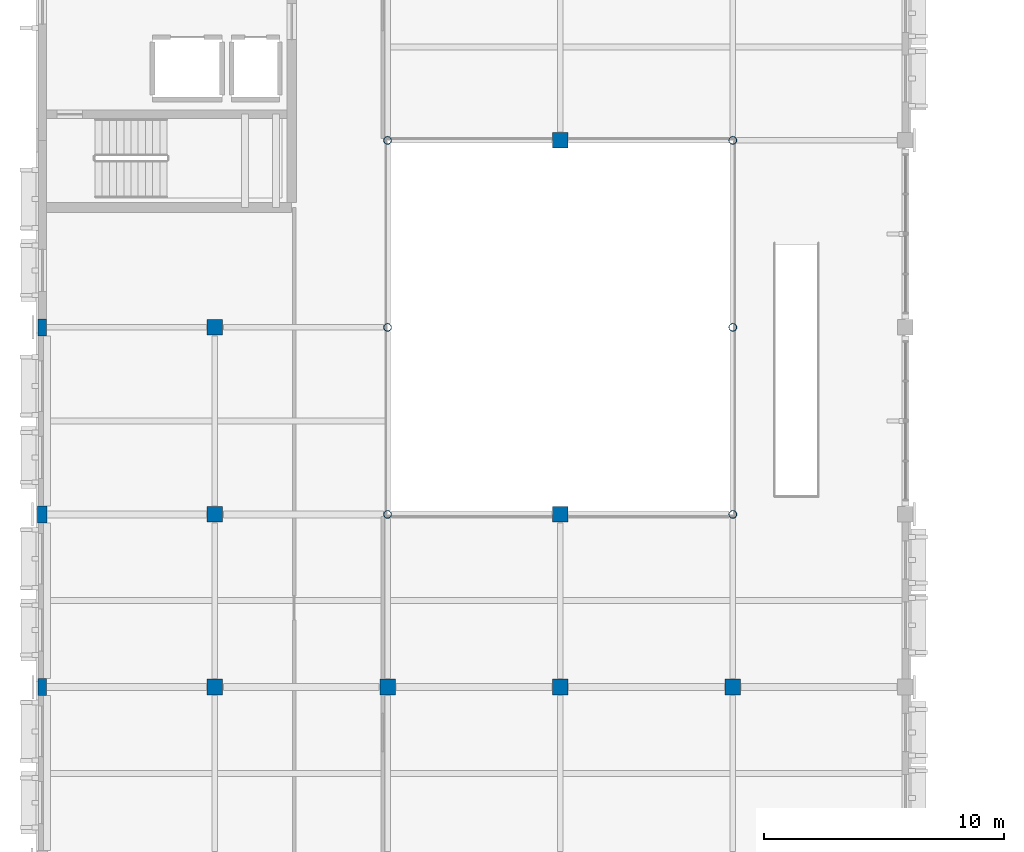
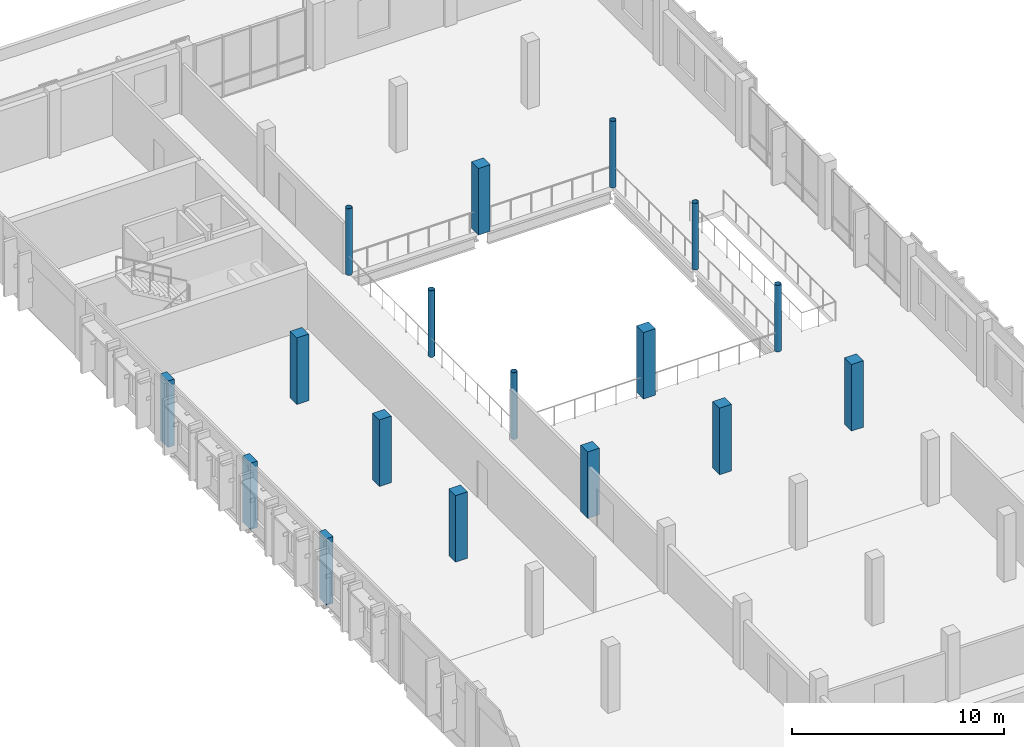
# One storey, part 3 of 85: 17 columns.
"""IFC4 building model written with IfcOpenShell, lengths in metres."""

import ifcopenshell
import ifcopenshell.guid

model = None  # the IFC model being written
_history = None  # IfcOwnerHistory: only IFC2X3 demands one
_inside = {}  # id of a spatial element -> (the spatial element, [elements in it])
_under = {}  # id of a project, library or spatial element -> (it, [spatial elements below it])
_declared = {}  # id of a project -> (the project, [libraries it declares])
_typed = {}  # id of a type object -> (the type object, [elements of that type])
_made_of = {}  # id of a material, layer set ... -> (it, [elements and type objects made of it])


def new_model(schema):
    """Start an empty IFC model of exactly this schema.

    Asked for "IFC4X3", IfcOpenShell would pick the latest addendum, in which some entities
    have other attributes; the version numbers below select the first issue.
    IFC2X3 requires an IfcOwnerHistory on every rooted entity: one is made here for all.
    """
    global model, _history
    if schema == "IFC4X3":
        model = ifcopenshell.file(schema_version=(4, 3, 0, 0))
    else:
        model = ifcopenshell.file(schema=schema)
    _inside.clear()
    _under.clear()
    _declared.clear()
    _typed.clear()
    _made_of.clear()
    _history = None
    if model.schema == "IFC2X3":
        org = make("IfcOrganization", Name="unknown")
        user = make(
            "IfcPersonAndOrganization",
            ThePerson=make("IfcPerson", FamilyName="unknown"),
            TheOrganization=org,
        )
        app = make(
            "IfcApplication",
            ApplicationDeveloper=org,
            Version="unknown",
            ApplicationFullName="unknown",
            ApplicationIdentifier="unknown",
        )
        _history = make(
            "IfcOwnerHistory",
            OwningUser=user,
            OwningApplication=app,
            ChangeAction="ADDED",
            CreationDate=0,
        )
    return model


def make(cls, **values):
    """One entity of the class cls with the attributes given. An attribute that is None is left unset."""
    return model.create_entity(
        cls, **{name: value for name, value in values.items() if value is not None}
    )


def rooted(cls, **values):
    """An entity with a GlobalId (a new one), such as an element, a storey or a relation."""
    return make(cls, GlobalId=ifcopenshell.guid.new(), OwnerHistory=_history, **values)


def si_unit(unit_type, name, prefix=None):
    """IfcSIUnit, for example si_unit("LENGTHUNIT", "METRE", prefix="MILLI")."""
    return make("IfcSIUnit", UnitType=unit_type, Prefix=prefix, Name=name)


def assignment(units):
    """IfcUnitAssignment: the units of a project."""
    return None if units is None else make("IfcUnitAssignment", Units=units)


def point(xyz):
    """IfcCartesianPoint."""
    return None if xyz is None else make("IfcCartesianPoint", Coordinates=xyz)


def direction(xyz):
    """IfcDirection."""
    return None if xyz is None else make("IfcDirection", DirectionRatios=xyz)


def frame(location, z_axis=None, x_axis=None):
    """IfcAxis2Placement3D, a coordinate frame: its origin and axes. An axis left out is left unset."""
    return make(
        "IfcAxis2Placement3D",
        Location=point(location),
        Axis=direction(z_axis),
        RefDirection=direction(x_axis),
    )


def frame_2d(location, x_axis=None):
    """IfcAxis2Placement2D, a coordinate frame in the plane: its origin and x axis."""
    return make(
        "IfcAxis2Placement2D", Location=point(location), RefDirection=direction(x_axis)
    )


def origin():
    """The frame at (0, 0, 0) with its axes left unset."""
    return frame((0.0, 0.0, 0.0))


def origin_2d():
    """The frame at (0, 0) in the plane with its x axis left unset."""
    return frame_2d((0.0, 0.0))


def place(relative_to, where):
    """IfcLocalPlacement: puts the frame where relative to a parent placement (None: the world)."""
    return make(
        "IfcLocalPlacement", PlacementRelTo=relative_to, RelativePlacement=where
    )


def context(
    kind, dimensions, precision=None, world=None, true_north=None, identifier=None
):
    """IfcGeometricRepresentationContext, for example the 3D "Model" context."""
    return make(
        "IfcGeometricRepresentationContext",
        ContextIdentifier=identifier,
        ContextType=kind,
        CoordinateSpaceDimension=dimensions,
        Precision=precision,
        WorldCoordinateSystem=world,
        TrueNorth=true_north,
    )


def subcontext(parent, identifier, kind, view, scale=None):
    """IfcGeometricRepresentationSubContext, for example "Body" below "Model"."""
    return make(
        "IfcGeometricRepresentationSubContext",
        ContextIdentifier=identifier,
        ContextType=kind,
        ParentContext=parent,
        TargetScale=scale,
        TargetView=view,
    )


def project(units=None, contexts=None):
    """IfcProject with its units and contexts."""
    return rooted(
        "IfcProject",
        Name="project",
        RepresentationContexts=contexts,
        UnitsInContext=assignment(units),
    )


def spatial(cls, under=None, at=None, **own):
    """A site, building, storey or space (cls), placed at a placement, below another one or the project."""
    s = rooted(cls, ObjectPlacement=at, **own)
    if under is not None:
        _under.setdefault(under.id(), (under, []))[1].append(s)
    return s


def profile(cls, at=None, kind="AREA", **sizes):
    """A parametric profile (cls). Its sizes go by their IFC names, for example OverallWidth=200.0."""
    return make(cls, ProfileType=kind, Position=at, **sizes)


def rectangle(**sizes):
    """IfcRectangleProfileDef."""
    return profile("IfcRectangleProfileDef", **sizes)


def hollow_circle(**sizes):
    """IfcCircleHollowProfileDef."""
    return profile("IfcCircleHollowProfileDef", **sizes)


def extrude(swept, where, along, depth):
    """IfcExtrudedAreaSolid: the profile swept, set in the frame where, extruded along a direction by depth."""
    return make(
        "IfcExtrudedAreaSolid",
        SweptArea=swept,
        Position=where,
        ExtrudedDirection=direction(along),
        Depth=depth,
    )


def shape(context_of_items, identifier, shape_type, items):
    """IfcShapeRepresentation: the items that make up one representation, for example the "Body"."""
    return make(
        "IfcShapeRepresentation",
        ContextOfItems=context_of_items,
        RepresentationIdentifier=identifier,
        RepresentationType=shape_type,
        Items=items,
    )


def material(Name=None, Category=None):
    """IfcMaterial."""
    return make("IfcMaterial", Name=Name, Category=Category)


def material_profile(
    of_material, cross_section, Name=None, Category=None, Priority=None
):
    """IfcMaterialProfile: a cross section and its material."""
    return make(
        "IfcMaterialProfile",
        Name=Name,
        Material=of_material,
        Profile=cross_section,
        Priority=Priority,
        Category=Category,
    )


def profile_set(profiles, Name=None, composite=None):
    """IfcMaterialProfileSet."""
    return make(
        "IfcMaterialProfileSet",
        Name=Name,
        MaterialProfiles=profiles,
        CompositeProfile=composite,
    )


def made_of(thing, what):
    """Note that an element or type object is made of a material, layer set ...; save() writes the relation."""
    if what is not None:
        _made_of.setdefault(what.id(), (what, []))[1].append(thing)
    return thing


def type_object(cls, material=None, **own):
    """A type object (cls), such as IfcWallType, which elements share."""
    return made_of(rooted(cls, **own), material)


def element(
    cls,
    number,
    at=None,
    inside=None,
    cuts=None,
    type_object=None,
    material=None,
    context=None,
    identifier="Body",
    shape_type=None,
    held_by="IfcProductDefinitionShape",
    body=None,
    shapes=None,
    **own,
):
    """One element of the class cls, such as IfcWall. Its Tag is "e" and its number.

    at: its placement. inside: the storey or other place that contains it. cuts: it is an
    opening in that element (IfcRelVoidsElement). A single representation is given by context,
    identifier, shape_type and body (its items); several are given by shapes. held_by: the class
    of the entity that holds the representations. save() writes the other relations.
    """
    e = rooted(cls, Tag="e%d" % number, ObjectPlacement=at, **own)
    if body is not None:
        shapes = [shape(context, identifier, shape_type, body)]
    if shapes is not None:
        e.Representation = make(held_by, Representations=shapes)
    if inside is not None:
        _inside.setdefault(inside.id(), (inside, []))[1].append(e)
    if cuts is not None:
        rooted(
            "IfcRelVoidsElement", RelatingBuildingElement=cuts, RelatedOpeningElement=e
        )
    if type_object is not None:
        _typed.setdefault(type_object.id(), (type_object, []))[1].append(e)
    return made_of(e, material)


def aggregate(whole, parts):
    """IfcRelAggregates: a whole, such as a stair, and the parts it consists of."""
    return rooted("IfcRelAggregates", RelatingObject=whole, RelatedObjects=parts)


def save(model, path):
    """Write the relations noted so far, then the file.

    IfcRelAggregates (storeys below a building ...), IfcRelContainedInSpatialStructure (elements
    in a storey), IfcRelDefinesByType, IfcRelAssociatesMaterial and IfcRelDeclares: one each for
    every whole, place, type object, material and project.
    """
    for whole, parts in _under.values():
        aggregate(whole, parts)
    for where, things in _inside.values():
        rooted(
            "IfcRelContainedInSpatialStructure",
            RelatedElements=things,
            RelatingStructure=where,
        )
    for kind, things in _typed.values():
        rooted("IfcRelDefinesByType", RelatedObjects=things, RelatingType=kind)
    for what, things in _made_of.values():
        rooted("IfcRelAssociatesMaterial", RelatedObjects=things, RelatingMaterial=what)
    for by, libraries in _declared.values():
        rooted("IfcRelDeclares", RelatingContext=by, RelatedDefinitions=libraries)
    model.write(path)


model = new_model("IFC4")

# Units and contexts
model_context = context("Model", 3, precision=1e-05, world=origin(), true_north=direction((0.0, 1.0)))
body_context = subcontext(model_context, "Body", "Model", "MODEL_VIEW")
ifc_project = project(units=[si_unit("LENGTHUNIT", "METRE"), si_unit("AREAUNIT", "SQUARE_METRE"), si_unit("VOLUMEUNIT", "CUBIC_METRE"), si_unit("PLANEANGLEUNIT", "RADIAN"), si_unit("MASSUNIT", "GRAM", prefix="KILO")], contexts=[model_context])

# Site, building, storey
site_placement = place(None, origin())
site = spatial("IfcSite", under=ifc_project, at=site_placement, CompositionType="ELEMENT")
building_placement = place(site_placement, origin())
building = spatial("IfcBuilding", under=site, at=building_placement, Name="Vervanel Yard Central Library", CompositionType="ELEMENT")
storey_placement = place(building_placement, frame((0.0, 0.0, 5.10009765625)))
storey = spatial("IfcBuildingStorey", under=building, at=storey_placement, Name="L01", CompositionType="ELEMENT", Elevation=5.10009765625)

# Columns
ifc_material_1 = material(Name="Steel ASTM A500 Grade C", Category="steel")
ifc_material_profile_1 = material_profile(ifc_material_1, hollow_circle(Radius=0.161865234375, WallThickness=0.01171875, at=origin_2d()), Name="HSS12.750X0.500", Category="steel")
ifc_profile_set_1 = profile_set([ifc_material_profile_1], Name="Steel ASTM A500 Grade C")
column_type_1 = type_object("IfcColumnType", Name="Atrium Column HSS12.750X0.500", PredefinedType="COLUMN", material=ifc_profile_set_1)
for number, where, z_axis, x_axis, name in (
    (1, (14.39990234375, 43.199951171875, 0.0), (0.0, 0.0, 1.0), (1.0, 0.0, 0.0), "L01 Atrium Column HSS12.750X0.500 (14.4, 43.2)"),
    (2, (14.39990234375, 51.0, 0.0), (0.0, 0.0, 1.0), (1.0, 0.0, 0.0), "L01 Atrium Column HSS12.750X0.500 (14.4, 51.0)"),
    (3, (14.39990234375, 58.800048828125, 0.0), (0.0, 0.0, 1.0), (1.0, 0.0, 0.0), "L01 Atrium Column HSS12.750X0.500 (14.4, 58.8)"),
    (4, (28.800048828125, 43.199951171875, 0.0), (0.0, 0.0, 1.0), (1.0, 0.0, 0.0), "L01 Atrium Column HSS12.750X0.500 (28.8, 43.2)"),
    (5, (28.800048828125, 51.0, 0.0), (0.0, 0.0, 1.0), (1.0, 0.0, 0.0), "L01 Atrium Column HSS12.750X0.500 (28.8, 51.0)"),
    (6, (28.800048828125, 58.800048828125, 0.0), (0.0, 0.0, 1.0), (1.0, 0.0, 0.0), "L01 Atrium Column HSS12.750X0.500 (28.8, 58.8)"),
):
    element("IfcColumn", number, at=place(storey_placement, frame(where, z_axis=z_axis, x_axis=x_axis)), inside=storey, type_object=column_type_1, Name=name, PredefinedType="COLUMN", context=body_context, shape_type="SweptSolid", body=[
        extrude(hollow_circle(Radius=0.161865234375, WallThickness=0.01171875, at=origin_2d()), origin(), (0.0, 0.0, 1.0), 3.83984375),
    ])
ifc_material_2 = material(Name="Concrete C40/50", Category="concrete")
ifc_material_profile_2 = material_profile(ifc_material_2, rectangle(XDim=0.64990234375, YDim=0.64990234375, at=origin_2d()), Name="RC 650x650", Category="concrete")
ifc_profile_set_2 = profile_set([ifc_material_profile_2], Name="Concrete C40/50")
column_type_2 = type_object("IfcColumnType", Name="Concrete Column 650x650", PredefinedType="COLUMN", material=ifc_profile_set_2)
for number, where, z_axis, x_axis, name in (
    (7, (7.199951171875, 36.0, 0.0), (0.0, 0.0, 1.0), (1.0, 0.0, 0.0), "L01 Concrete Column 650x650 (7.2, 36.0)"),
    (8, (7.199951171875, 43.199951171875, 0.0), (0.0, 0.0, 1.0), (1.0, 0.0, 0.0), "L01 Concrete Column 650x650 (7.2, 43.2)"),
    (9, (7.199951171875, 51.0, 0.0), (0.0, 0.0, 1.0), (1.0, 0.0, 0.0), "L01 Concrete Column 650x650 (7.2, 51.0)"),
    (10, (14.39990234375, 36.0, 0.0), (0.0, 0.0, 1.0), (1.0, 0.0, 0.0), "L01 Concrete Column 650x650 (14.4, 36.0)"),
    (11, (21.60009765625, 36.0, 0.0), (0.0, 0.0, 1.0), (1.0, 0.0, 0.0), "L01 Concrete Column 650x650 (21.6, 36.0)"),
    (12, (21.60009765625, 43.199951171875, 0.0), (0.0, 0.0, 1.0), (1.0, 0.0, 0.0), "L01 Concrete Column 650x650 (21.6, 43.2)"),
    (13, (21.60009765625, 58.800048828125, 0.0), (0.0, 0.0, 1.0), (1.0, 0.0, 0.0), "L01 Concrete Column 650x650 (21.6, 58.8)"),
    (14, (28.800048828125, 36.0, 0.0), (0.0, 0.0, 1.0), (1.0, 0.0, 0.0), "L01 Concrete Column 650x650 (28.8, 36.0)"),
):
    element("IfcColumn", number, at=place(storey_placement, frame(where, z_axis=z_axis, x_axis=x_axis)), inside=storey, type_object=column_type_2, Name=name, PredefinedType="COLUMN", context=body_context, shape_type="SweptSolid", body=[
        extrude(rectangle(XDim=0.64990234375, YDim=0.64990234375, at=origin_2d()), origin(), (0.0, 0.0, 1.0), 3.83984375),
    ])
ifc_material_profile_3 = material_profile(ifc_material_2, rectangle(XDim=0.35009765625, YDim=0.699951171875, at=origin_2d()), Name="RC 350x700", Category="concrete")
ifc_profile_set_3 = profile_set([ifc_material_profile_3], Name="Concrete C40/50")
column_type_3 = type_object("IfcColumnType", Name="Perimeter Pilaster 350x700", PredefinedType="PILASTER", material=ifc_profile_set_3)
for number, where, z_axis, x_axis, name in (
    (15, (0.0, 36.0, 0.0), (0.0, 0.0, 1.0), (1.0, 0.0, 0.0), "L01 Perimeter Pilaster 350x700 (0.0, 36.0)"),
    (16, (0.0, 51.0, 0.0), (0.0, 0.0, 1.0), (1.0, 0.0, 0.0), "L01 Perimeter Pilaster 350x700 (0.0, 51.0)"),
):
    element("IfcColumn", number, at=place(storey_placement, frame(where, z_axis=z_axis, x_axis=x_axis)), inside=storey, type_object=column_type_3, Name=name, PredefinedType="PILASTER", context=body_context, shape_type="SweptSolid", body=[
        extrude(rectangle(XDim=0.35009765625, YDim=0.699951171875, at=origin_2d()), origin(), (0.0, 0.0, 1.0), 3.83984375),
    ])
ifc_material_profile_4 = material_profile(ifc_material_2, rectangle(XDim=0.3798828125, YDim=0.719970703125, at=origin_2d()), Name="RC 380x720", Category="concrete")
ifc_profile_set_4 = profile_set([ifc_material_profile_4], Name="Concrete C40/50")
column_type_4 = type_object("IfcColumnType", Name="Perimeter Pilaster 380x720", PredefinedType="PILASTER", material=ifc_profile_set_4)
column_placement = place(storey_placement, frame((0.0, 43.199951171875, 0.0), z_axis=(0.0, 0.0, 1.0), x_axis=(1.0, 0.0, 0.0)))
element("IfcColumn", 17, at=column_placement, inside=storey, type_object=column_type_4, Name="L01 Perimeter Pilaster 380x720 (0.0, 43.2)", PredefinedType="PILASTER", context=body_context, shape_type="SweptSolid", body=[
    extrude(rectangle(XDim=0.3798828125, YDim=0.719970703125, at=origin_2d()), origin(), (0.0, 0.0, 1.0), 3.83984375),
])

save(model, "model.ifc")
